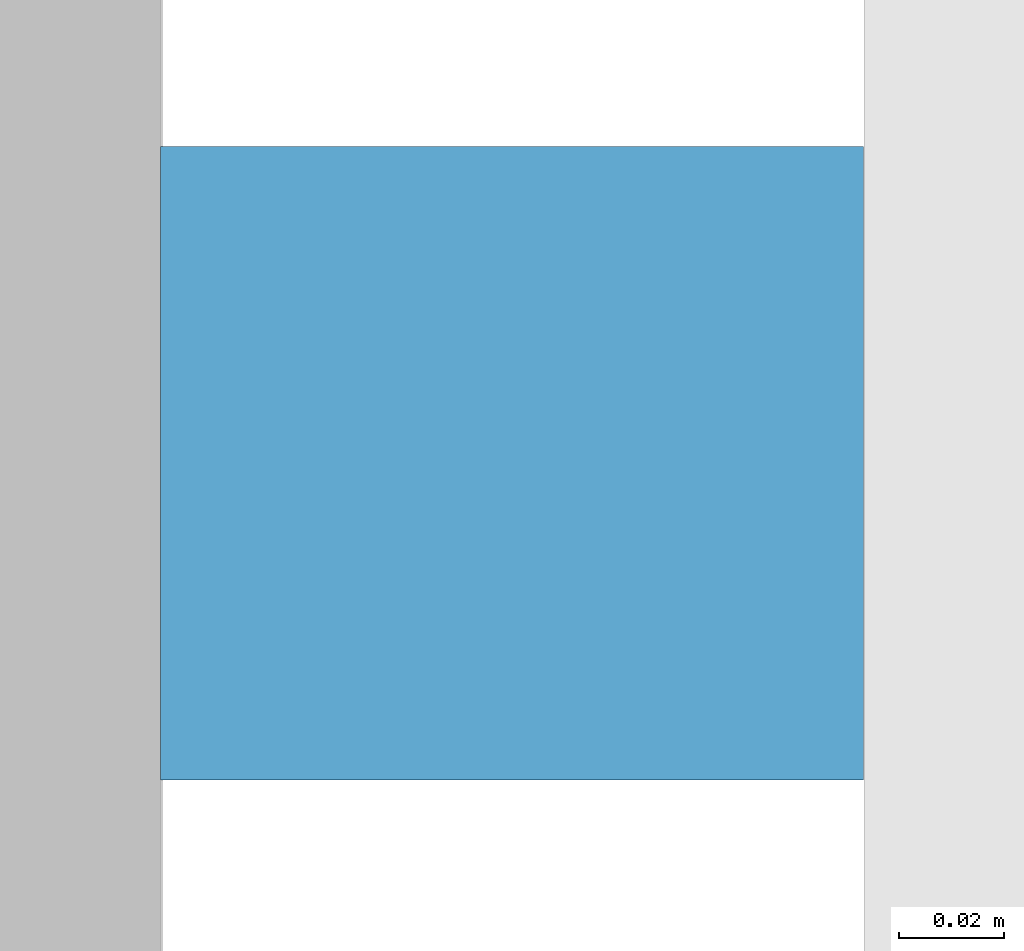
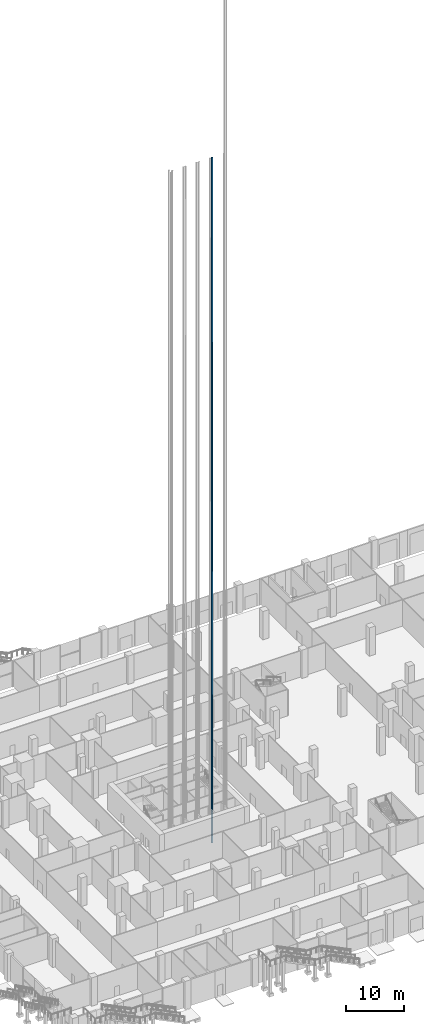
# One storey, part 48 of 68: 1 discrete accessory.
"""IFC4 building model written with IfcOpenShell, lengths in metres."""

from ifc_helpers import new_model, si_unit, direction, frame, origin, origin_2d, place, context, subcontext, project, spatial, rectangle, extrude, element, save


model = new_model("IFC4")

# Units and contexts
model_context = context("Model", 3, precision=1e-05, world=origin(), true_north=direction((0.0, 1.0)))
body_context = subcontext(model_context, "Body", "Model", "MODEL_VIEW")
ifc_project = project(units=[si_unit("LENGTHUNIT", "METRE"), si_unit("AREAUNIT", "SQUARE_METRE"), si_unit("VOLUMEUNIT", "CUBIC_METRE"), si_unit("PLANEANGLEUNIT", "RADIAN"), si_unit("MASSUNIT", "GRAM", prefix="KILO")], contexts=[model_context])

# Site, building, storey
site_placement = place(None, origin())
site = spatial("IfcSite", under=ifc_project, at=site_placement, CompositionType="ELEMENT")
building_placement = place(site_placement, origin())
building = spatial("IfcBuilding", under=site, at=building_placement, Name="Altepetl Exchange Towers", CompositionType="ELEMENT")
storey_placement = place(building_placement, origin())
storey = spatial("IfcBuildingStorey", under=building, at=storey_placement, Name="L00 Ground concourse", CompositionType="ELEMENT", Elevation=0.0)

# Discrete accessory
discrete_accessory_placement = place(storey_placement, frame((52.333251953125, 42.800048828125, -1.60009765625)))
element("IfcDiscreteAccessory", 1, at=discrete_accessory_placement, inside=storey, Name="Guide rail SH1", ObjectType="GUIDE RAIL", PredefinedType="USERDEFINED", context=body_context, shape_type="SweptSolid", body=[
    extrude(rectangle(XDim=0.13330078125, YDim=0.1201171875, at=origin_2d()), origin(), (0.0, 0.0, 1.0), 144.85009765625),
])

save(model, "model.ifc")
